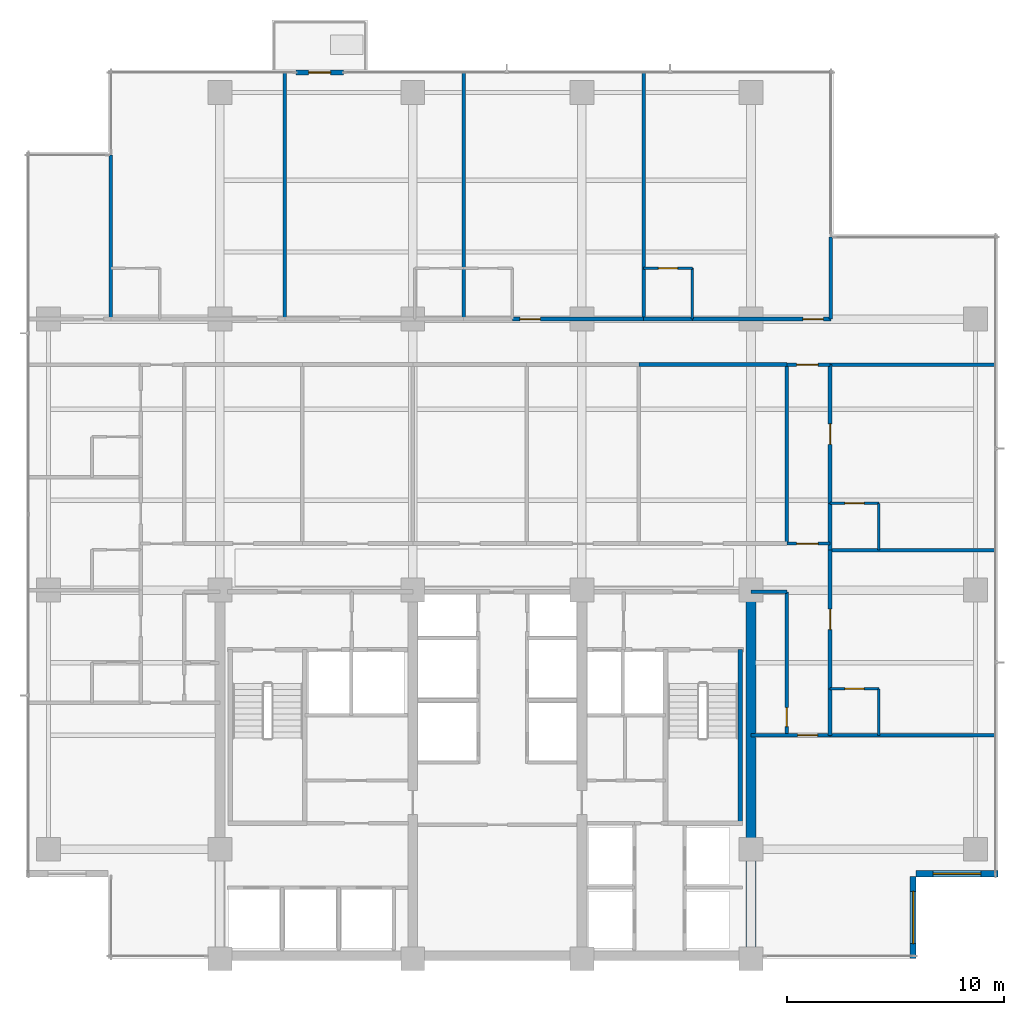
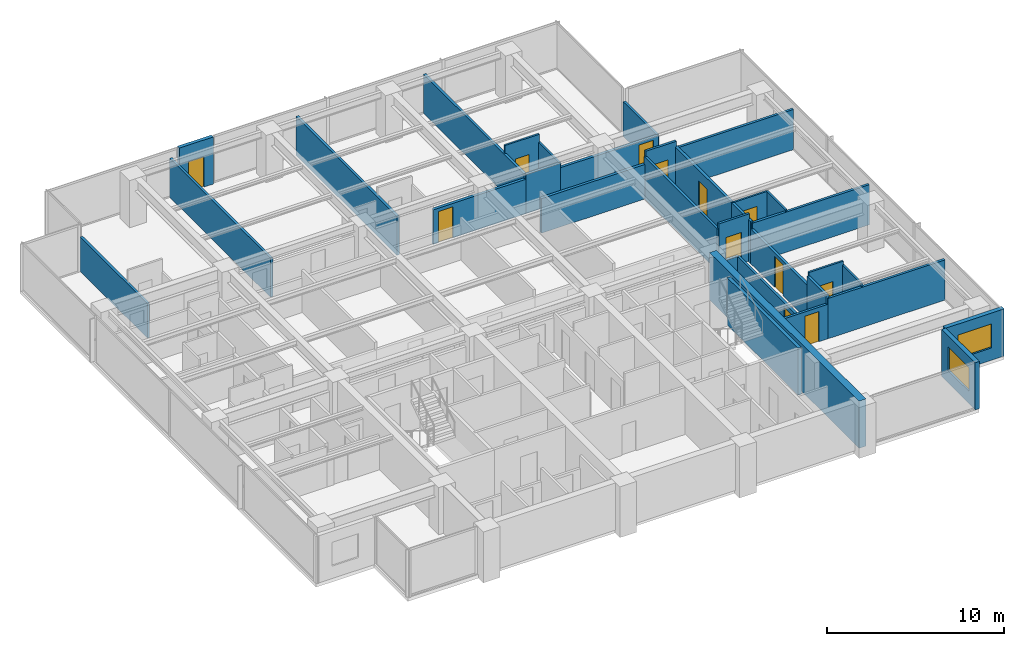
# One storey, part 10 of 15: 33 walls, 12 doors, 2 windows, 14 openings.
"""IFC4 building model written with IfcOpenShell, lengths in metres."""

from ifc_helpers import new_model, si_unit, direction, frame, frame_2d, origin, place, context, subcontext, project, spatial, rectangle, extrude, material, layer, layer_set, type_object, element, fill, save


model = new_model("IFC4")

# Units and contexts
model_context = context("Model", 3, precision=1e-05, world=origin(), true_north=direction((0.0, 1.0)))
body_context = subcontext(model_context, "Body", "Model", "MODEL_VIEW")
ifc_project = project(units=[si_unit("LENGTHUNIT", "METRE"), si_unit("AREAUNIT", "SQUARE_METRE"), si_unit("VOLUMEUNIT", "CUBIC_METRE"), si_unit("PLANEANGLEUNIT", "RADIAN"), si_unit("MASSUNIT", "GRAM", prefix="KILO")], contexts=[model_context])

# Site, building, storey
site_placement = place(None, origin())
site = spatial("IfcSite", under=ifc_project, at=site_placement, CompositionType="ELEMENT")
building_placement = place(site_placement, origin())
building = spatial("IfcBuilding", under=site, at=building_placement, Name="Qalmaran Belvedere Hotel", CompositionType="ELEMENT")
storey_placement = place(building_placement, frame((0.0, 0.0, 142.10009765625)))
storey = spatial("IfcBuildingStorey", under=building, at=storey_placement, Name="L35", CompositionType="ELEMENT", Elevation=142.10009765625)

# Wall, opening, door
ifc_material_1 = material(Name="Anodised Bronze Cladding")
ifc_layer_1 = layer(ifc_material_1, 0.22509765625, Name="Anodised Bronze Cladding")
ifc_layer_set_1 = layer_set([ifc_layer_1], Name="Anodised Bronze Cladding")
wall_type_1 = type_object("IfcWallType", Name="WL-BAL-PORT-225", PredefinedType="SOLIDWALL", material=ifc_layer_set_1)
wall_1_placement = place(storey_placement, frame((23.800048828125, 44.3798828125, 0.0), z_axis=(0.0, 0.0, 1.0), x_axis=(1.0, 0.0, 0.0)))
wall_1 = element("IfcWall", 1, at=wall_1_placement, inside=storey, type_object=wall_type_1, Name="L35 Tree Balcony Door Portal", PredefinedType="SOLIDWALL", context=body_context, shape_type="SweptSolid", body=[
    extrude(rectangle(XDim=2.199951171875, YDim=0.22509765625, at=frame_2d((1.10009765625, 0.0))), origin(), (0.0, 0.0, 1.0), 3.25),
])
opening_1_placement = place(wall_1_placement, frame((0.590087890625, 0.0, 0.0)))
opening_1 = element("IfcOpeningElement", 2, at=opening_1_placement, cuts=wall_1, Name="Opening BL-102", PredefinedType="OPENING", context=body_context, shape_type="SweptSolid", body=[
    extrude(rectangle(XDim=1.02001953125, YDim=2.10009765625, at=frame_2d((0.510009765625, 1.050048828125))), frame((0.0, 0.12255859375, 0.0), z_axis=(0.0, -1.0, 0.0), x_axis=(1.0, 0.0, 0.0)), (0.0, 0.0, 1.0), 0.2451171875),
])
ifc_material_2 = material(Name="Anodised Bronze Aluminium", Category="aluminium")
door_type_1 = type_object("IfcDoorType", Name="DR-BAL-1020X2100", OperationType="NOTDEFINED", PredefinedType="DOOR", material=ifc_material_2)
door_1_placement = place(opening_1_placement, origin())
door_1 = element("IfcDoor", 3, at=door_1_placement, inside=storey, type_object=door_type_1, Name="L35 Planted Tree Balcony Door", OperationType="SINGLE_SWING_RIGHT", OverallHeight=2.10009765625, OverallWidth=1.02001953125, PredefinedType="DOOR", context=body_context, shape_type="SweptSolid", body=[
    extrude(rectangle(XDim=1.02001953125, YDim=2.10009765625, at=frame_2d((0.510009765625, 1.050048828125))), frame((0.0, 0.02490234375, 0.0), z_axis=(0.0, -1.0, 0.0), x_axis=(1.0, 0.0, 0.0)), (0.0, 0.0, 1.0), 0.050048828125),
])
fill(opening_1, door_1)

# Wall
ifc_material_3 = material(Name="Concrete C50/60", Category="concrete")
ifc_layer_2 = layer(ifc_material_3, 0.449951171875, Name="Concrete C50/60")
ifc_layer_set_2 = layer_set([ifc_layer_2], Name="Concrete C50/60")
wall_type_2 = type_object("IfcWallType", Name="WL-CORE-450-C50", PredefinedType="SHEAR", material=ifc_layer_set_2)
wall_2_placement = place(storey_placement, frame((44.800048828125, 3.5, 0.0), z_axis=(0.0, 0.0, 1.0), x_axis=(0.0, 1.0, 0.0)))
element("IfcWall", 4, at=wall_2_placement, inside=storey, type_object=wall_type_2, Name="L35 East Core Shear Wall", PredefinedType="SHEAR", context=body_context, shape_type="SweptSolid", body=[
    extrude(rectangle(XDim=16.89990234375, YDim=0.449951171875, at=frame_2d((8.449951171875, 0.0))), origin(), (0.0, 0.0, 1.0), 3.25),
])

# Wall, opening, window
ifc_layer_3 = layer(ifc_material_1, 0.280029296875, Name="Anodised Bronze Cladding")
ifc_layer_set_3 = layer_set([ifc_layer_3], Name="Anodised Bronze Cladding")
wall_type_3 = type_object("IfcWallType", Name="WL-EXT-BRNZ-280", PredefinedType="SOLIDWALL", material=ifc_layer_set_3)
wall_3_placement = place(storey_placement, frame((52.280029296875, 3.5, 0.0), z_axis=(0.0, 0.0, 1.0), x_axis=(0.0, 1.0, 0.0)))
wall_3 = element("IfcWall", 5, at=wall_3_placement, inside=storey, type_object=wall_type_3, Name="L35 Corner Notch Wall 1", PredefinedType="SOLIDWALL", context=body_context, shape_type="SweptSolid", body=[
    extrude(rectangle(XDim=3.800048828125, YDim=0.280029296875, at=frame_2d((1.89990234375, 0.0))), origin(), (0.0, 0.0, 1.0), 3.25),
])
opening_2_placement = place(wall_3_placement, frame((0.699951171875, 0.0, 0.85009765625)))
opening_2 = element("IfcOpeningElement", 6, at=opening_2_placement, cuts=wall_3, Name="Opening W-N24", PredefinedType="OPENING", context=body_context, shape_type="SweptSolid", body=[
    extrude(rectangle(XDim=2.39990234375, YDim=1.64990234375, at=frame_2d((1.199951171875, 0.824951171875))), frame((0.0, 0.14990234375, 0.0), z_axis=(0.0, -1.0, 0.0), x_axis=(1.0, 0.0, 0.0)), (0.0, 0.0, 1.0), 0.300048828125),
])
ifc_material_4 = material(Name="Solar-Control Double Glazing", Category="glass")
window_type_1 = type_object("IfcWindowType", Name="WN-NTC-2400X1650", PartitioningType="SINGLE_PANEL", PredefinedType="WINDOW", material=ifc_material_4)
window_1_placement = place(opening_2_placement, origin())
window_1 = element("IfcWindow", 7, at=window_1_placement, inside=storey, type_object=window_type_1, Name="L35 Corner Notch Window 1", OverallHeight=1.64990234375, OverallWidth=2.39990234375, PartitioningType="SINGLE_PANEL", PredefinedType="WINDOW", context=body_context, shape_type="SweptSolid", body=[
    extrude(rectangle(XDim=2.39990234375, YDim=1.64990234375, at=frame_2d((1.199951171875, 0.824951171875))), frame((0.0, 0.030029296875, 0.0), z_axis=(0.0, -1.0, 0.0), x_axis=(1.0, 0.0, 0.0)), (0.0, 0.0, 1.0), 0.06005859375),
])
fill(opening_2, window_1)

wall_4_placement = place(storey_placement, frame((52.39990234375, 7.419921875, 0.0), z_axis=(0.0, 0.0, 1.0), x_axis=(1.0, 0.0, 0.0)))
wall_4 = element("IfcWall", 8, at=wall_4_placement, inside=storey, type_object=wall_type_3, Name="L35 Corner Notch Wall 2", PredefinedType="SOLIDWALL", context=body_context, shape_type="SweptSolid", body=[
    extrude(rectangle(XDim=3.800048828125, YDim=0.280029296875, at=frame_2d((1.89990234375, 0.0))), origin(), (0.0, 0.0, 1.0), 3.25),
])
opening_3_placement = place(wall_4_placement, frame((0.800048828125, 0.0, 0.85009765625)))
opening_3 = element("IfcOpeningElement", 9, at=opening_3_placement, cuts=wall_4, Name="Opening W-N22", PredefinedType="OPENING", context=body_context, shape_type="SweptSolid", body=[
    extrude(rectangle(XDim=2.199951171875, YDim=1.64990234375, at=frame_2d((1.10009765625, 0.824951171875))), frame((0.0, 0.14990234375, 0.0), z_axis=(0.0, -1.0, 0.0), x_axis=(1.0, 0.0, 0.0)), (0.0, 0.0, 1.0), 0.300048828125),
])
window_type_2 = type_object("IfcWindowType", Name="WN-NTC-2200X1650", PartitioningType="SINGLE_PANEL", PredefinedType="WINDOW", material=ifc_material_4)
window_2_placement = place(opening_3_placement, origin())
window_2 = element("IfcWindow", 10, at=window_2_placement, inside=storey, type_object=window_type_2, Name="L35 Corner Notch Window 2", OverallHeight=1.64990234375, OverallWidth=2.199951171875, PartitioningType="SINGLE_PANEL", PredefinedType="WINDOW", context=body_context, shape_type="SweptSolid", body=[
    extrude(rectangle(XDim=2.199951171875, YDim=1.64990234375, at=frame_2d((1.10009765625, 0.824951171875))), frame((0.0, 0.030029296875, 0.0), z_axis=(0.0, -1.0, 0.0), x_axis=(1.0, 0.0, 0.0)), (0.0, 0.0, 1.0), 0.06005859375),
])
fill(opening_3, window_2)

# Wall, opening, door
ifc_material_5 = material(Name="Moisture-Resistant Gypsum")
ifc_layer_4 = layer(ifc_material_5, 0.1201171875, Name="Moisture-Resistant Gypsum")
ifc_layer_set_4 = layer_set([ifc_layer_4], Name="Moisture-Resistant Gypsum")
wall_type_4 = type_object("IfcWallType", Name="WL-INT-120-BATH", PredefinedType="PARTITIONING", material=ifc_layer_set_4)
wall_5_placement = place(storey_placement, frame((39.845458984375, 35.35009765625, 0.0), z_axis=(0.0, 0.0, 1.0), x_axis=(1.0, 0.0, 0.0)))
wall_5 = element("IfcWall", 11, at=wall_5_placement, inside=storey, type_object=wall_type_4, Name="L35 Partition WL-L35-NBN03", PredefinedType="PARTITIONING", context=body_context, shape_type="SweptSolid", body=[
    extrude(rectangle(XDim=2.25, YDim=0.1201171875, at=frame_2d((1.125, 0.0))), origin(), (0.0, 0.0, 1.0), 3.25),
])
opening_4_placement = place(wall_5_placement, frame((1.56494140625, 0.0, 0.0), z_axis=(0.0, 0.0, 1.0), x_axis=(-1.0, 0.0, 0.0)))
opening_4 = element("IfcOpeningElement", 12, at=opening_4_placement, cuts=wall_5, Name="Opening D-BATH", PredefinedType="OPENING", context=body_context, shape_type="SweptSolid", body=[
    extrude(rectangle(XDim=0.8798828125, YDim=2.080078125, at=frame_2d((0.43994140625, 1.0400390625))), frame((0.0, 0.070068359375, 0.0), z_axis=(0.0, -1.0, 0.0), x_axis=(1.0, 0.0, 0.0)), (0.0, 0.0, 1.0), 0.14013671875),
])
ifc_material_6 = material(Name="Engineered Oak Veneer")
door_type_2 = type_object("IfcDoorType", Name="DR-INT-BATH-880X2080", OperationType="NOTDEFINED", PredefinedType="DOOR", material=ifc_material_6)
door_2_placement = place(opening_4_placement, origin())
door_2 = element("IfcDoor", 13, at=door_2_placement, inside=storey, type_object=door_type_2, Name="L35 Ensuite Bathroom Door N04", OperationType="SINGLE_SWING_LEFT", OverallHeight=2.080078125, OverallWidth=0.8798828125, PredefinedType="DOOR", context=body_context, shape_type="SweptSolid", body=[
    extrude(rectangle(XDim=0.8798828125, YDim=2.080078125, at=frame_2d((0.43994140625, 1.0400390625))), frame((0.0, 0.02490234375, 0.0), z_axis=(0.0, -1.0, 0.0), x_axis=(1.0, 0.0, 0.0)), (0.0, 0.0, 1.0), 0.050048828125),
])
fill(opening_4, door_2)

# Wall
wall_6_placement = place(storey_placement, frame((42.095458984375, 33.0, 0.0), z_axis=(0.0, 0.0, 1.0), x_axis=(0.0, 1.0, 0.0)))
element("IfcWall", 14, at=wall_6_placement, inside=storey, type_object=wall_type_4, Name="L35 Partition WL-L35-NBS03", PredefinedType="PARTITIONING", context=body_context, shape_type="SweptSolid", body=[
    extrude(rectangle(XDim=2.35009765625, YDim=0.1201171875, at=frame_2d((1.175048828125, 0.0))), origin(), (0.0, 0.0, 1.0), 2.69189453125),
])

# Wall, opening, door
wall_7_placement = place(storey_placement, frame((48.449951171875, 15.949951171875, 0.0), z_axis=(0.0, 0.0, 1.0), x_axis=(1.0, 0.0, 0.0)))
wall_7 = element("IfcWall", 15, at=wall_7_placement, inside=storey, type_object=wall_type_4, Name="L35 Partition WL-L35-EBN00", PredefinedType="PARTITIONING", context=body_context, shape_type="SweptSolid", body=[
    extrude(rectangle(XDim=2.25, YDim=0.1201171875, at=frame_2d((1.125, 0.0))), origin(), (0.0, 0.0, 1.0), 3.25),
])
opening_5_placement = place(wall_7_placement, frame((1.56494140625, 0.0, 0.0), z_axis=(0.0, 0.0, 1.0), x_axis=(-1.0, 0.0, 0.0)))
opening_5 = element("IfcOpeningElement", 16, at=opening_5_placement, cuts=wall_7, Name="Opening D-BATH", PredefinedType="OPENING", context=body_context, shape_type="SweptSolid", body=[
    extrude(rectangle(XDim=0.8798828125, YDim=2.080078125, at=frame_2d((0.43994140625, 1.0400390625))), frame((0.0, 0.070068359375, 0.0), z_axis=(0.0, -1.0, 0.0), x_axis=(1.0, 0.0, 0.0)), (0.0, 0.0, 1.0), 0.14013671875),
])
door_3_placement = place(opening_5_placement, origin())
door_3 = element("IfcDoor", 17, at=door_3_placement, inside=storey, type_object=door_type_2, Name="L35 E Ensuite Door 01", OperationType="SINGLE_SWING_LEFT", OverallHeight=2.080078125, OverallWidth=0.8798828125, PredefinedType="DOOR", context=body_context, shape_type="SweptSolid", body=[
    extrude(rectangle(XDim=0.8798828125, YDim=2.080078125, at=frame_2d((0.43994140625, 1.0400390625))), frame((0.0, 0.02490234375, 0.0), z_axis=(0.0, -1.0, 0.0), x_axis=(1.0, 0.0, 0.0)), (0.0, 0.0, 1.0), 0.050048828125),
])
fill(opening_5, door_3)

# Wall
wall_8_placement = place(storey_placement, frame((50.699951171875, 13.800048828125, 0.0), z_axis=(0.0, 0.0, 1.0), x_axis=(0.0, 1.0, 0.0)))
element("IfcWall", 18, at=wall_8_placement, inside=storey, type_object=wall_type_4, Name="L35 Partition WL-L35-EBS00", PredefinedType="PARTITIONING", context=body_context, shape_type="SweptSolid", body=[
    extrude(rectangle(XDim=2.14990234375, YDim=0.1201171875, at=frame_2d((1.074951171875, 0.0))), origin(), (0.0, 0.0, 1.0), 2.98779296875),
])

# Wall, opening, door
wall_9_placement = place(storey_placement, frame((48.449951171875, 24.5, 0.0), z_axis=(0.0, 0.0, 1.0), x_axis=(1.0, 0.0, 0.0)))
wall_9 = element("IfcWall", 19, at=wall_9_placement, inside=storey, type_object=wall_type_4, Name="L35 Partition WL-L35-EBN01", PredefinedType="PARTITIONING", context=body_context, shape_type="SweptSolid", body=[
    extrude(rectangle(XDim=2.25, YDim=0.1201171875, at=frame_2d((1.125, 0.0))), origin(), (0.0, 0.0, 1.0), 2.880859375),
])
opening_6_placement = place(wall_9_placement, frame((1.56494140625, 0.0, 0.0), z_axis=(0.0, 0.0, 1.0), x_axis=(-1.0, 0.0, 0.0)))
opening_6 = element("IfcOpeningElement", 20, at=opening_6_placement, cuts=wall_9, Name="Opening D-BATH", PredefinedType="OPENING", context=body_context, shape_type="SweptSolid", body=[
    extrude(rectangle(XDim=0.8798828125, YDim=2.080078125, at=frame_2d((0.43994140625, 1.0400390625))), frame((0.0, 0.070068359375, 0.0), z_axis=(0.0, -1.0, 0.0), x_axis=(1.0, 0.0, 0.0)), (0.0, 0.0, 1.0), 0.14013671875),
])
door_4_placement = place(opening_6_placement, origin())
door_4 = element("IfcDoor", 21, at=door_4_placement, inside=storey, type_object=door_type_2, Name="L35 E Ensuite Door 02", OperationType="SINGLE_SWING_LEFT", OverallHeight=2.080078125, OverallWidth=0.8798828125, PredefinedType="DOOR", context=body_context, shape_type="SweptSolid", body=[
    extrude(rectangle(XDim=0.8798828125, YDim=2.080078125, at=frame_2d((0.43994140625, 1.0400390625))), frame((0.0, 0.02490234375, 0.0), z_axis=(0.0, -1.0, 0.0), x_axis=(1.0, 0.0, 0.0)), (0.0, 0.0, 1.0), 0.050048828125),
])
fill(opening_6, door_4)

# Wall
wall_10_placement = place(storey_placement, frame((50.699951171875, 22.35009765625, 0.0), z_axis=(0.0, 0.0, 1.0), x_axis=(0.0, 1.0, 0.0)))
element("IfcWall", 22, at=wall_10_placement, inside=storey, type_object=wall_type_4, Name="L35 Partition WL-L35-EBS01", PredefinedType="PARTITIONING", context=body_context, shape_type="SweptSolid", body=[
    extrude(rectangle(XDim=2.14990234375, YDim=0.1201171875, at=frame_2d((1.074951171875, 0.0))), origin(), (0.0, 0.0, 1.0), 2.880859375),
])

# Wall, opening, door
ifc_material_7 = material(Name="Gypsum Stud Partition")
ifc_layer_5 = layer(ifc_material_7, 0.14990234375, Name="Gypsum Stud Partition")
ifc_layer_set_5 = layer_set([ifc_layer_5], Name="Gypsum Stud Partition")
wall_type_5 = type_object("IfcWallType", Name="WL-INT-150-EI60", PredefinedType="PARTITIONING", material=ifc_layer_set_5)
wall_11_placement = place(storey_placement, frame((46.449951171875, 22.64990234375, 0.0), z_axis=(0.0, 0.0, 1.0), x_axis=(1.0, 0.0, 0.0)))
wall_11 = element("IfcWall", 23, at=wall_11_placement, inside=storey, type_object=wall_type_5, Name="L35 Partition WL-L35-XCE1", PredefinedType="PARTITIONING", context=body_context, shape_type="SweptSolid", body=[
    extrude(rectangle(XDim=2.0, YDim=0.14990234375, at=frame_2d((1.0, 0.0))), origin(), (0.0, 0.0, 1.0), 3.25),
])
opening_7_placement = place(wall_11_placement, frame((0.449951171875, 0.0, 0.0)))
opening_7 = element("IfcOpeningElement", 24, at=opening_7_placement, cuts=wall_11, Name="Opening FD90B", PredefinedType="OPENING", context=body_context, shape_type="SweptSolid", body=[
    extrude(rectangle(XDim=1.0, YDim=2.14990234375, at=frame_2d((0.5, 1.074951171875))), frame((0.0, 0.0849609375, 0.0), z_axis=(0.0, -1.0, 0.0), x_axis=(1.0, 0.0, 0.0)), (0.0, 0.0, 1.0), 0.169921875),
])
ifc_material_8 = material(Name="Steel S355JR", Category="steel")
door_type_3 = type_object("IfcDoorType", Name="DR-FD90B-1000X2150", OperationType="NOTDEFINED", PredefinedType="DOOR", material=ifc_material_8)
door_5_placement = place(opening_7_placement, origin())
door_5 = element("IfcDoor", 25, at=door_5_placement, inside=storey, type_object=door_type_3, Name="L35 East Corridor Smoke Door S", OperationType="SINGLE_SWING_RIGHT", OverallHeight=2.14990234375, OverallWidth=1.0, PredefinedType="DOOR", context=body_context, shape_type="SweptSolid", body=[
    extrude(rectangle(XDim=1.0, YDim=2.14990234375, at=frame_2d((0.5, 1.074951171875))), frame((0.0, 0.02490234375, 0.0), z_axis=(0.0, -1.0, 0.0), x_axis=(1.0, 0.0, 0.0)), (0.0, 0.0, 1.0), 0.050048828125),
])
fill(opening_7, door_5)

wall_12_placement = place(storey_placement, frame((46.449951171875, 30.89990234375, 0.0), z_axis=(0.0, 0.0, 1.0), x_axis=(1.0, 0.0, 0.0)))
wall_12 = element("IfcWall", 26, at=wall_12_placement, inside=storey, type_object=wall_type_5, Name="L35 Partition WL-L35-XCE2", PredefinedType="PARTITIONING", context=body_context, shape_type="SweptSolid", body=[
    extrude(rectangle(XDim=2.0, YDim=0.14990234375, at=frame_2d((1.0, 0.0))), origin(), (0.0, 0.0, 1.0), 3.25),
])
opening_8_placement = place(wall_12_placement, frame((0.449951171875, 0.0, 0.0)))
opening_8 = element("IfcOpeningElement", 27, at=opening_8_placement, cuts=wall_12, Name="Opening FD90B", PredefinedType="OPENING", context=body_context, shape_type="SweptSolid", body=[
    extrude(rectangle(XDim=1.0, YDim=2.14990234375, at=frame_2d((0.5, 1.074951171875))), frame((0.0, 0.0849609375, 0.0), z_axis=(0.0, -1.0, 0.0), x_axis=(1.0, 0.0, 0.0)), (0.0, 0.0, 1.0), 0.169921875),
])
door_6_placement = place(opening_8_placement, origin())
door_6 = element("IfcDoor", 28, at=door_6_placement, inside=storey, type_object=door_type_3, Name="L35 East Corridor Smoke Door N", OperationType="SINGLE_SWING_LEFT", OverallHeight=2.14990234375, OverallWidth=1.0, PredefinedType="DOOR", context=body_context, shape_type="SweptSolid", body=[
    extrude(rectangle(XDim=1.0, YDim=2.14990234375, at=frame_2d((0.5, 1.074951171875))), frame((0.0, 0.02490234375, 0.0), z_axis=(0.0, -1.0, 0.0), x_axis=(1.0, 0.0, 0.0)), (0.0, 0.0, 1.0), 0.050048828125),
])
fill(opening_8, door_6)

ifc_layer_6 = layer(ifc_material_7, 0.159912109375, Name="Gypsum Stud Partition")
ifc_layer_set_6 = layer_set([ifc_layer_6], Name="Gypsum Stud Partition")
wall_type_6 = type_object("IfcWallType", Name="WL-INT-160-EI60", PredefinedType="PARTITIONING", material=ifc_layer_set_6)
wall_13_placement = place(storey_placement, frame((44.800048828125, 13.800048828125, 0.0), z_axis=(0.0, 0.0, 1.0), x_axis=(1.0, 0.0, 0.0)))
wall_13 = element("IfcWall", 29, at=wall_13_placement, inside=storey, type_object=wall_type_6, Name="L35 Partition WL-L35-SERL", PredefinedType="PARTITIONING", context=body_context, shape_type="SweptSolid", body=[
    extrude(rectangle(XDim=3.64990234375, YDim=0.159912109375, at=frame_2d((1.824951171875, 0.0))), origin(), (0.0, 0.0, 1.0), 2.3798828125),
])
opening_9_placement = place(wall_13_placement, frame((3.06982421875, 0.0, 0.0), z_axis=(0.0, 0.0, 1.0), x_axis=(-1.0, 0.0, 0.0)))
opening_9 = element("IfcOpeningElement", 30, at=opening_9_placement, cuts=wall_13, Name="Opening FD60S1", PredefinedType="OPENING", context=body_context, shape_type="SweptSolid", body=[
    extrude(rectangle(XDim=0.919921875, YDim=2.080078125, at=frame_2d((0.4599609375, 1.0400390625))), frame((0.0, 0.08984375, 0.0), z_axis=(0.0, -1.0, 0.0), x_axis=(1.0, 0.0, 0.0)), (0.0, 0.0, 1.0), 0.179931640625),
])
door_type_4 = type_object("IfcDoorType", Name="DR-FD60S-920X2080", OperationType="NOTDEFINED", PredefinedType="DOOR", material=ifc_material_6)
door_7_placement = place(opening_9_placement, origin())
door_7 = element("IfcDoor", 31, at=door_7_placement, inside=storey, type_object=door_type_4, Name="L35 SE Lounge Door", OperationType="SINGLE_SWING_LEFT", OverallHeight=2.080078125, OverallWidth=0.919921875, PredefinedType="DOOR", context=body_context, shape_type="SweptSolid", body=[
    extrude(rectangle(XDim=0.919921875, YDim=2.080078125, at=frame_2d((0.4599609375, 1.0400390625))), frame((0.0, 0.02490234375, 0.0), z_axis=(0.0, -1.0, 0.0), x_axis=(1.0, 0.0, 0.0)), (0.0, 0.0, 1.0), 0.050048828125),
])
fill(opening_9, door_7)

wall_14_placement = place(storey_placement, frame((46.449951171875, 13.800048828125, 0.0), z_axis=(0.0, 0.0, 1.0), x_axis=(0.0, 1.0, 0.0)))
wall_14 = element("IfcWall", 32, at=wall_14_placement, inside=storey, type_object=wall_type_6, Name="L35 Partition WL-L35-ECL", PredefinedType="PARTITIONING", context=body_context, shape_type="SweptSolid", body=[
    extrude(rectangle(XDim=6.619873046875, YDim=0.159912109375, at=frame_2d((3.31005859375, 0.0))), origin(), (0.0, 0.0, 1.0), 2.3798828125),
])
opening_10_placement = place(wall_14_placement, frame((0.39990234375, 0.0, 0.0)))
opening_10 = element("IfcOpeningElement", 33, at=opening_10_placement, cuts=wall_14, Name="Opening FD60B", PredefinedType="OPENING", context=body_context, shape_type="SweptSolid", body=[
    extrude(rectangle(XDim=0.8798828125, YDim=2.080078125, at=frame_2d((0.43994140625, 1.0400390625))), frame((0.0, 0.08984375, 0.0), z_axis=(0.0, -1.0, 0.0), x_axis=(1.0, 0.0, 0.0)), (0.0, 0.0, 1.0), 0.179931640625),
])
door_type_5 = type_object("IfcDoorType", Name="DR-FD60B-880X2080", OperationType="NOTDEFINED", PredefinedType="DOOR", material=ifc_material_8)
door_8_placement = place(opening_10_placement, origin())
door_8 = element("IfcDoor", 34, at=door_8_placement, inside=storey, type_object=door_type_5, Name="L35 East Closet Door", OperationType="SINGLE_SWING_LEFT", OverallHeight=2.080078125, OverallWidth=0.8798828125, PredefinedType="DOOR", context=body_context, shape_type="SweptSolid", body=[
    extrude(rectangle(XDim=0.8798828125, YDim=2.080078125, at=frame_2d((0.43994140625, 1.0400390625))), frame((0.0, 0.02490234375, 0.0), z_axis=(0.0, -1.0, 0.0), x_axis=(1.0, 0.0, 0.0)), (0.0, 0.0, 1.0), 0.050048828125),
])
fill(opening_10, door_8)

# Walls
wall_15_placement = place(storey_placement, frame((44.800048828125, 20.419921875, 0.0), z_axis=(0.0, 0.0, 1.0), x_axis=(1.0, 0.0, 0.0)))
element("IfcWall", 35, at=wall_15_placement, inside=storey, type_object=wall_type_6, Name="L35 Partition WL-L35-ECLN", PredefinedType="PARTITIONING", context=body_context, shape_type="SweptSolid", body=[
    extrude(rectangle(XDim=1.64990234375, YDim=0.159912109375, at=frame_2d((0.824951171875, 0.0))), origin(), (0.0, 0.0, 1.0), 2.3798828125),
])
wall_16_placement = place(storey_placement, frame((46.449951171875, 22.64990234375, 0.0), z_axis=(0.0, 0.0, 1.0), x_axis=(0.0, 1.0, 0.0)))
element("IfcWall", 36, at=wall_16_placement, inside=storey, type_object=wall_type_6, Name="L35 Partition WL-L35-MIDVR5", PredefinedType="PARTITIONING", context=body_context, shape_type="SweptSolid", body=[
    extrude(rectangle(XDim=8.25, YDim=0.159912109375, at=frame_2d((4.125, 0.0))), origin(), (0.0, 0.0, 1.0), 2.880859375),
])
wall_17_placement = place(storey_placement, frame((15.27001953125, 33.0, 0.0), z_axis=(0.0, 0.0, 1.0), x_axis=(0.0, 1.0, 0.0)))
element("IfcWall", 37, at=wall_17_placement, inside=storey, type_object=wall_type_6, Name="L35 Partition WL-L35-NUL", PredefinedType="PARTITIONING", context=body_context, shape_type="SweptSolid", body=[
    extrude(rectangle(XDim=7.580078125, YDim=0.159912109375, at=frame_2d((3.7900390625, 0.0))), origin(), (0.0, 0.0, 1.0), 2.3798828125),
])
for number, where, z_axis, x_axis, name in (
    (38, (23.300048828125, 33.0, 0.0), (0.0, 0.0, 1.0), (0.0, 1.0, 0.0), "L35 Partition WL-L35-NUR00"),
    (39, (31.54296875, 33.0, 0.0), (0.0, 0.0, 1.0), (0.0, 1.0, 0.0), "L35 Partition WL-L35-NUR01"),
    (40, (39.845458984375, 33.0, 0.0), (0.0, 0.0, 1.0), (0.0, 1.0, 0.0), "L35 Partition WL-L35-NUR02"),
):
    element("IfcWall", number, at=place(storey_placement, frame(where, z_axis=z_axis, x_axis=x_axis)), inside=storey, type_object=wall_type_6, Name=name, PredefinedType="PARTITIONING", context=body_context, shape_type="SweptSolid", body=[
        extrude(rectangle(XDim=11.3798828125, YDim=0.159912109375, at=frame_2d((5.68994140625, 0.0))), origin(), (0.0, 0.0, 1.0), 2.69189453125),
    ])
wall_18_placement = place(storey_placement, frame((48.47998046875, 33.0, 0.0), z_axis=(0.0, 0.0, 1.0), x_axis=(0.0, 1.0, 0.0)))
element("IfcWall", 41, at=wall_18_placement, inside=storey, type_object=wall_type_6, Name="L35 Partition WL-L35-NUR03", PredefinedType="PARTITIONING", context=body_context, shape_type="SweptSolid", body=[
    extrude(rectangle(XDim=3.780029296875, YDim=0.159912109375, at=frame_2d((1.89013671875, 0.0))), origin(), (0.0, 0.0, 1.0), 2.3798828125),
])
for number, where, z_axis, x_axis, name in (
    (42, (48.449951171875, 13.800048828125, 0.0), (0.0, 0.0, 1.0), (1.0, 0.0, 0.0), "L35 Partition WL-L35-EBOT"),
    (43, (48.449951171875, 22.35009765625, 0.0), (0.0, 0.0, 1.0), (1.0, 0.0, 0.0), "L35 Partition WL-L35-EU00"),
    (44, (48.449951171875, 30.89990234375, 0.0), (0.0, 0.0, 1.0), (1.0, 0.0, 0.0), "L35 Partition WL-L35-EU01"),
):
    element("IfcWall", number, at=place(storey_placement, frame(where, z_axis=z_axis, x_axis=x_axis)), inside=storey, type_object=wall_type_6, Name=name, PredefinedType="PARTITIONING", context=body_context, shape_type="SweptSolid", body=[
        extrude(rectangle(XDim=7.630126953125, YDim=0.159912109375, at=frame_2d((3.81494140625, 0.0))), origin(), (0.0, 0.0, 1.0), 2.77197265625),
    ])
ifc_layer_7 = layer(ifc_material_7, 0.179931640625, Name="Gypsum Stud Partition")
ifc_layer_set_7 = layer_set([ifc_layer_7], Name="Gypsum Stud Partition")
wall_type_7 = type_object("IfcWallType", Name="WL-INT-180-EI60", PredefinedType="PARTITIONING", material=ifc_layer_set_7)
wall_19_placement = place(storey_placement, frame((39.625, 30.89990234375, 0.0), z_axis=(0.0, 0.0, 1.0), x_axis=(1.0, 0.0, 0.0)))
element("IfcWall", 45, at=wall_19_placement, inside=storey, type_object=wall_type_7, Name="L35 Partition WL-L35-MIDO5", PredefinedType="PARTITIONING", context=body_context, shape_type="SweptSolid", body=[
    extrude(rectangle(XDim=6.824951171875, YDim=0.179931640625, at=frame_2d((3.41259765625, 0.0))), origin(), (0.0, 0.0, 1.0), 2.3798828125),
])

# Wall, opening, door
wall_20_placement = place(storey_placement, frame((33.79296875, 33.0, 0.0), z_axis=(0.0, 0.0, 1.0), x_axis=(1.0, 0.0, 0.0)))
wall_20 = element("IfcWall", 46, at=wall_20_placement, inside=storey, type_object=wall_type_7, Name="L35 Partition WL-L35-NEC02", PredefinedType="PARTITIONING", context=body_context, shape_type="SweptSolid", body=[
    extrude(rectangle(XDim=6.052490234375, YDim=0.179931640625, at=frame_2d((3.0263671875, 0.0))), origin(), (0.0, 0.0, 1.0), 2.3798828125),
])
opening_11_placement = place(wall_20_placement, frame((0.339599609375, 0.0, 0.0)))
opening_11 = element("IfcOpeningElement", 47, at=opening_11_placement, cuts=wall_20, Name="Opening FD60", PredefinedType="OPENING", context=body_context, shape_type="SweptSolid", body=[
    extrude(rectangle(XDim=0.949951171875, YDim=2.14990234375, at=frame_2d((0.47509765625, 1.074951171875))), frame((0.0, 0.10009765625, 0.0), z_axis=(0.0, -1.0, 0.0), x_axis=(1.0, 0.0, 0.0)), (0.0, 0.0, 1.0), 0.199951171875),
])
door_type_6 = type_object("IfcDoorType", Name="DR-FD60-950X2150", OperationType="NOTDEFINED", PredefinedType="DOOR", material=ifc_material_6)
door_9_placement = place(opening_11_placement, origin())
door_9 = element("IfcDoor", 48, at=door_9_placement, inside=storey, type_object=door_type_6, Name="L35 Guest Entrance Door N03", OperationType="SINGLE_SWING_RIGHT", OverallHeight=2.14990234375, OverallWidth=0.949951171875, PredefinedType="DOOR", context=body_context, shape_type="SweptSolid", body=[
    extrude(rectangle(XDim=0.949951171875, YDim=2.14990234375, at=frame_2d((0.47509765625, 1.074951171875))), frame((0.0, 0.02490234375, 0.0), z_axis=(0.0, -1.0, 0.0), x_axis=(1.0, 0.0, 0.0)), (0.0, 0.0, 1.0), 0.050048828125),
])
fill(opening_11, door_9)

# Wall
wall_21_placement = place(storey_placement, frame((39.845458984375, 33.0, 0.0), z_axis=(0.0, 0.0, 1.0), x_axis=(1.0, 0.0, 0.0)))
element("IfcWall", 49, at=wall_21_placement, inside=storey, type_object=wall_type_7, Name="L35 Partition WL-L35-NBC03", PredefinedType="PARTITIONING", context=body_context, shape_type="SweptSolid", body=[
    extrude(rectangle(XDim=2.25, YDim=0.179931640625, at=frame_2d((1.125, 0.0))), origin(), (0.0, 0.0, 1.0), 2.69189453125),
])

# Wall, opening, door
wall_22_placement = place(storey_placement, frame((42.095458984375, 33.0, 0.0), z_axis=(0.0, 0.0, 1.0), x_axis=(1.0, 0.0, 0.0)))
wall_22 = element("IfcWall", 50, at=wall_22_placement, inside=storey, type_object=wall_type_7, Name="L35 Partition WL-L35-NEC03", PredefinedType="PARTITIONING", context=body_context, shape_type="SweptSolid", body=[
    extrude(rectangle(XDim=6.384521484375, YDim=0.179931640625, at=frame_2d((3.1923828125, 0.0))), origin(), (0.0, 0.0, 1.0), 2.3798828125),
])
opening_12_placement = place(wall_22_placement, frame((5.095703125, 0.0, 0.0)))
opening_12 = element("IfcOpeningElement", 51, at=opening_12_placement, cuts=wall_22, Name="Opening FD60", PredefinedType="OPENING", context=body_context, shape_type="SweptSolid", body=[
    extrude(rectangle(XDim=0.949951171875, YDim=2.14990234375, at=frame_2d((0.47509765625, 1.074951171875))), frame((0.0, 0.10009765625, 0.0), z_axis=(0.0, -1.0, 0.0), x_axis=(1.0, 0.0, 0.0)), (0.0, 0.0, 1.0), 0.199951171875),
])
door_10_placement = place(opening_12_placement, origin())
door_10 = element("IfcDoor", 52, at=door_10_placement, inside=storey, type_object=door_type_6, Name="L35 Guest Entrance Door N04", OperationType="SINGLE_SWING_RIGHT", OverallHeight=2.14990234375, OverallWidth=0.949951171875, PredefinedType="DOOR", context=body_context, shape_type="SweptSolid", body=[
    extrude(rectangle(XDim=0.949951171875, YDim=2.14990234375, at=frame_2d((0.47509765625, 1.074951171875))), frame((0.0, 0.02490234375, 0.0), z_axis=(0.0, -1.0, 0.0), x_axis=(1.0, 0.0, 0.0)), (0.0, 0.0, 1.0), 0.050048828125),
])
fill(opening_12, door_10)

# Wall
wall_23_placement = place(storey_placement, frame((48.449951171875, 13.800048828125, 0.0), z_axis=(0.0, 0.0, 1.0), x_axis=(0.0, 1.0, 0.0)))
element("IfcWall", 53, at=wall_23_placement, inside=storey, type_object=wall_type_7, Name="L35 Partition WL-L35-EBC00", PredefinedType="PARTITIONING", context=body_context, shape_type="SweptSolid", body=[
    extrude(rectangle(XDim=2.14990234375, YDim=0.179931640625, at=frame_2d((1.074951171875, 0.0))), origin(), (0.0, 0.0, 1.0), 2.98779296875),
])

# Wall, opening, door
wall_24_placement = place(storey_placement, frame((48.449951171875, 15.949951171875, 0.0), z_axis=(0.0, 0.0, 1.0), x_axis=(0.0, 1.0, 0.0)))
wall_24 = element("IfcWall", 54, at=wall_24_placement, inside=storey, type_object=wall_type_7, Name="L35 Partition WL-L35-EEC00", PredefinedType="PARTITIONING", context=body_context, shape_type="SweptSolid", body=[
    extrude(rectangle(XDim=6.400146484375, YDim=0.179931640625, at=frame_2d((3.2001953125, 0.0))), origin(), (0.0, 0.0, 1.0), 2.3798828125),
])
opening_13_placement = place(wall_24_placement, frame((3.675048828125, 0.0, 0.0), z_axis=(0.0, 0.0, 1.0), x_axis=(-1.0, 0.0, 0.0)))
opening_13 = element("IfcOpeningElement", 55, at=opening_13_placement, cuts=wall_24, Name="Opening FD60", PredefinedType="OPENING", context=body_context, shape_type="SweptSolid", body=[
    extrude(rectangle(XDim=0.949951171875, YDim=2.14990234375, at=frame_2d((0.47509765625, 1.074951171875))), frame((0.0, 0.10009765625, 0.0), z_axis=(0.0, -1.0, 0.0), x_axis=(1.0, 0.0, 0.0)), (0.0, 0.0, 1.0), 0.199951171875),
])
door_11_placement = place(opening_13_placement, origin())
door_11 = element("IfcDoor", 56, at=door_11_placement, inside=storey, type_object=door_type_6, Name="L35 E Wing Door 01", OperationType="SINGLE_SWING_RIGHT", OverallHeight=2.14990234375, OverallWidth=0.949951171875, PredefinedType="DOOR", context=body_context, shape_type="SweptSolid", body=[
    extrude(rectangle(XDim=0.949951171875, YDim=2.14990234375, at=frame_2d((0.47509765625, 1.074951171875))), frame((0.0, 0.02490234375, 0.0), z_axis=(0.0, -1.0, 0.0), x_axis=(1.0, 0.0, 0.0)), (0.0, 0.0, 1.0), 0.050048828125),
])
fill(opening_13, door_11)

# Wall
wall_25_placement = place(storey_placement, frame((48.449951171875, 22.35009765625, 0.0), z_axis=(0.0, 0.0, 1.0), x_axis=(0.0, 1.0, 0.0)))
element("IfcWall", 57, at=wall_25_placement, inside=storey, type_object=wall_type_7, Name="L35 Partition WL-L35-EBC01", PredefinedType="PARTITIONING", context=body_context, shape_type="SweptSolid", body=[
    extrude(rectangle(XDim=2.14990234375, YDim=0.179931640625, at=frame_2d((1.074951171875, 0.0))), origin(), (0.0, 0.0, 1.0), 2.880859375),
])

# Wall, opening, door
wall_26_placement = place(storey_placement, frame((48.449951171875, 24.5, 0.0), z_axis=(0.0, 0.0, 1.0), x_axis=(0.0, 1.0, 0.0)))
wall_26 = element("IfcWall", 58, at=wall_26_placement, inside=storey, type_object=wall_type_7, Name="L35 Partition WL-L35-EEC01", PredefinedType="PARTITIONING", context=body_context, shape_type="SweptSolid", body=[
    extrude(rectangle(XDim=6.39990234375, YDim=0.179931640625, at=frame_2d((3.199951171875, 0.0))), origin(), (0.0, 0.0, 1.0), 2.880859375),
])
opening_14_placement = place(wall_26_placement, frame((3.675048828125, 0.0, 0.0), z_axis=(0.0, 0.0, 1.0), x_axis=(-1.0, 0.0, 0.0)))
opening_14 = element("IfcOpeningElement", 59, at=opening_14_placement, cuts=wall_26, Name="Opening FD60", PredefinedType="OPENING", context=body_context, shape_type="SweptSolid", body=[
    extrude(rectangle(XDim=0.949951171875, YDim=2.14990234375, at=frame_2d((0.47509765625, 1.074951171875))), frame((0.0, 0.10009765625, 0.0), z_axis=(0.0, -1.0, 0.0), x_axis=(1.0, 0.0, 0.0)), (0.0, 0.0, 1.0), 0.199951171875),
])
door_12_placement = place(opening_14_placement, origin())
door_12 = element("IfcDoor", 60, at=door_12_placement, inside=storey, type_object=door_type_6, Name="L35 E Wing Door 02", OperationType="SINGLE_SWING_RIGHT", OverallHeight=2.14990234375, OverallWidth=0.949951171875, PredefinedType="DOOR", context=body_context, shape_type="SweptSolid", body=[
    extrude(rectangle(XDim=0.949951171875, YDim=2.14990234375, at=frame_2d((0.47509765625, 1.074951171875))), frame((0.0, 0.02490234375, 0.0), z_axis=(0.0, -1.0, 0.0), x_axis=(1.0, 0.0, 0.0)), (0.0, 0.0, 1.0), 0.050048828125),
])
fill(opening_14, door_12)

# Wall
ifc_layer_8 = layer(ifc_material_3, 0.2099609375, Name="Concrete C50/60")
ifc_layer_set_8 = layer_set([ifc_layer_8], Name="Concrete C50/60")
wall_type_8 = type_object("IfcWallType", Name="WL-STAIR-210-C50", PredefinedType="SHEAR", material=ifc_layer_set_8)
wall_27_placement = place(storey_placement, frame((44.304931640625, 9.7451171875, 0.0), z_axis=(0.0, 0.0, 1.0), x_axis=(0.0, 1.0, 0.0)))
element("IfcWall", 61, at=wall_27_placement, inside=storey, type_object=wall_type_8, Name="L35 Stair ST-2 East Bearing Wall", PredefinedType="SHEAR", context=body_context, shape_type="SweptSolid", body=[
    extrude(rectangle(XDim=8.009765625, YDim=0.2099609375, at=frame_2d((4.0048828125, 0.0))), origin(), (0.0, 0.0, 1.0), 3.25),
])

save(model, "model.ifc")
